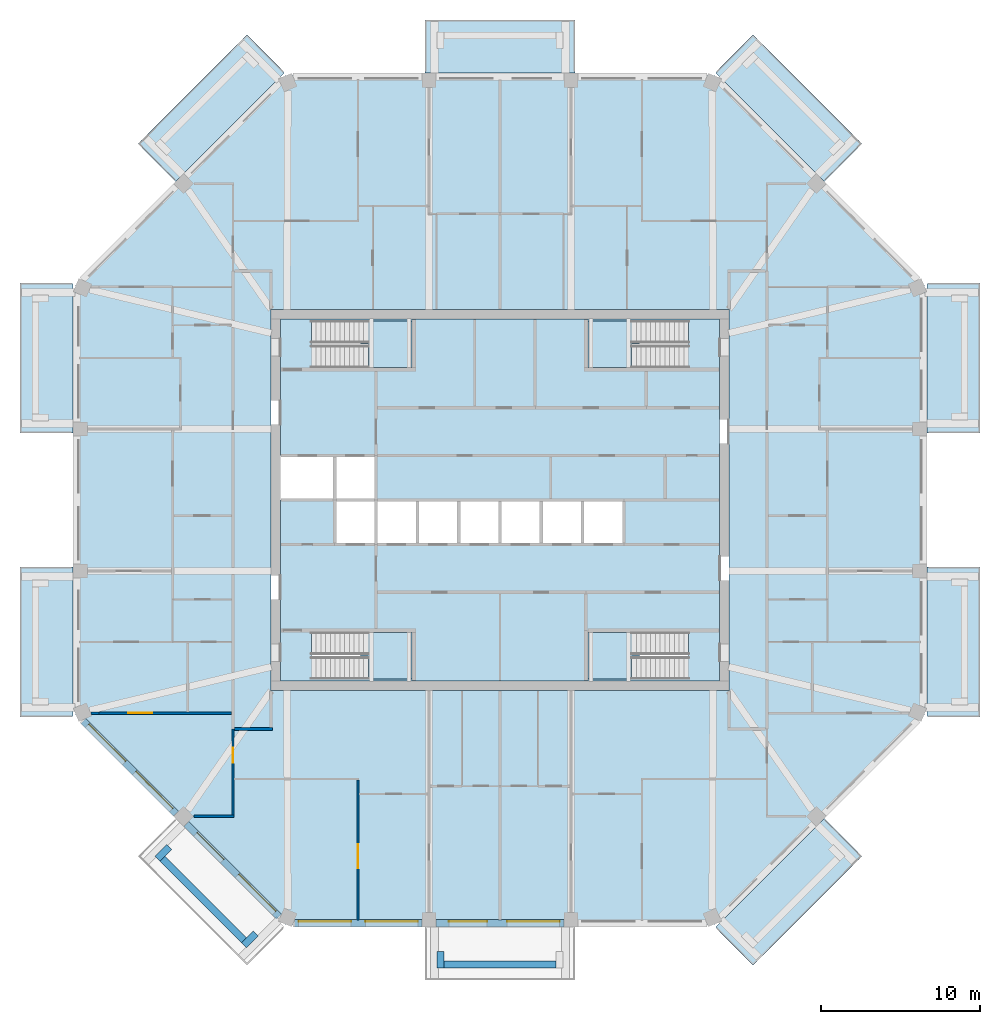
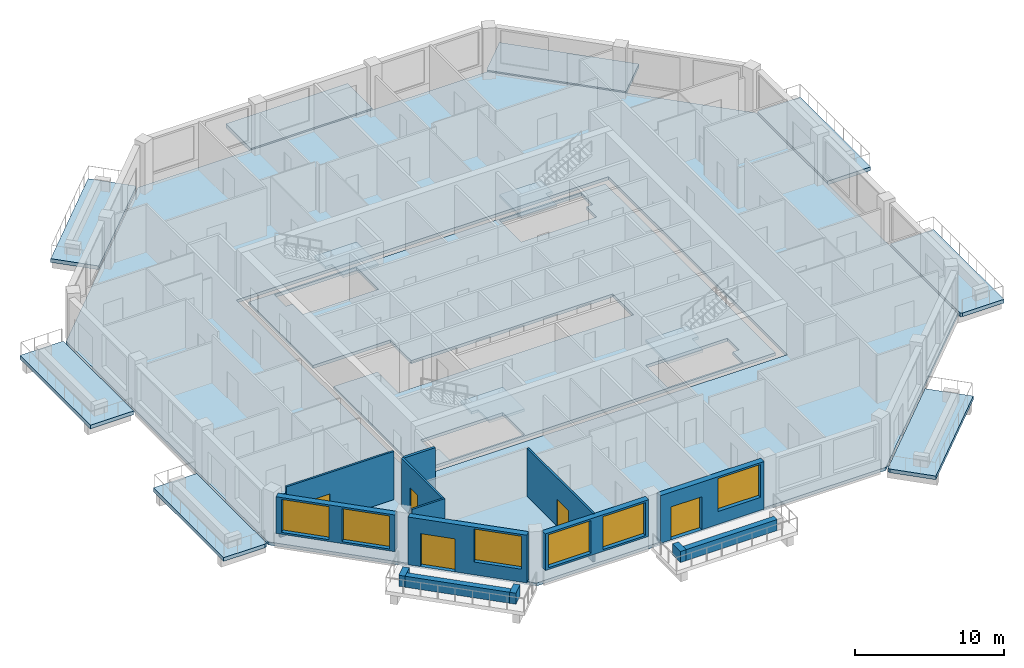
# One storey, part 2 of 12: 15 walls, 14 slabs, 6 windows, 5 doors, 11 openings, 4 elements without a shape of their own.
"""IFC4 building model written with IfcOpenShell, lengths in metres."""

from ifc_helpers import new_model, si_unit, direction, frame, frame_2d, origin, place, context, subcontext, project, spatial, polyline, rectangle, outline, extrude, material, layer, layer_set, type_object, element, fill, aggregate, save


model = new_model("IFC4")

# Units and contexts
model_context = context("Model", 3, precision=1e-05, world=origin(), true_north=direction((0.0, 1.0)))
body_context = subcontext(model_context, "Body", "Model", "MODEL_VIEW")
ifc_project = project(units=[si_unit("LENGTHUNIT", "METRE"), si_unit("AREAUNIT", "SQUARE_METRE"), si_unit("VOLUMEUNIT", "CUBIC_METRE"), si_unit("PLANEANGLEUNIT", "RADIAN"), si_unit("MASSUNIT", "GRAM", prefix="KILO")], contexts=[model_context])

# Site, building, storey
site_placement = place(None, origin())
site = spatial("IfcSite", under=ifc_project, at=site_placement, CompositionType="ELEMENT")
building_placement = place(site_placement, origin())
building = spatial("IfcBuilding", under=site, at=building_placement, Name="Msitu Wima Residences", CompositionType="ELEMENT")
storey_placement = place(building_placement, frame((0.0, 0.0, 243.300048828125)))
storey = spatial("IfcBuildingStorey", under=building, at=storey_placement, Name="L56", CompositionType="ELEMENT", Elevation=243.300048828125)

# Slabs
ifc_material_1 = material(Name="Concrete C40/50", Category="concrete")
ifc_layer_1 = layer(ifc_material_1, 0.300048828125)
ifc_layer_set_1 = layer_set([ifc_layer_1], Name="Concrete C40/50")
slab_type_1 = type_object("IfcSlabType", Name="Balcony slab BS300", PredefinedType="FLOOR", material=ifc_layer_set_1)
slab_1_placement = place(storey_placement, frame((0.0, 0.0, -0.300048828125)))
element("IfcSlab", 1, at=slab_1_placement, inside=storey, type_object=slab_type_1, Name="Balcony E0 L56", PredefinedType="FLOOR", context=body_context, shape_type="SweptSolid", body=[
    extrude(outline(polyline([(26.85009765625, -13.105224609375), (26.85009765625, -13.105224609375), (26.85009765625, -4.918701171875), (26.85009765625, -4.21875), (30.199951171875, -4.21875), (30.199951171875, -13.656005859375), (27.003662109375, -13.656005859375), (26.85009765625, -13.59228515625), (26.85009765625, -13.105224609375), (26.85009765625, -13.105224609375)])), origin(), (0.0, 0.0, 1.0), 0.300048828125),
])
slab_2_placement = place(storey_placement, frame((0.0, 0.0, -0.300048828125)))
element("IfcSlab", 2, at=slab_2_placement, inside=storey, type_object=slab_type_1, Name="Balcony E2 L56", PredefinedType="FLOOR", context=body_context, shape_type="SweptSolid", body=[
    extrude(outline(polyline([(26.85009765625, 13.105224609375), (26.85009765625, 13.105224609375), (26.85009765625, 13.105224609375), (26.85009765625, 13.59228515625), (27.003662109375, 13.656005859375), (30.199951171875, 13.656005859375), (30.199951171875, 4.21875), (26.85009765625, 4.21875), (26.85009765625, 4.918701171875), (26.85009765625, 13.105224609375)])), origin(), (0.0, 0.0, 1.0), 0.300048828125),
])
slab_3_placement = place(storey_placement, frame((0.0, 0.0, -0.300048828125)))
element("IfcSlab", 3, at=slab_3_placement, inside=storey, type_object=slab_type_1, Name="Balcony NE1 L56", PredefinedType="FLOOR", context=body_context, shape_type="SweptSolid", body=[
    extrude(outline(polyline([(13.936767578125, 26.505615234375), (13.936767578125, 26.505615234375), (13.59228515625, 26.85009765625), (13.656005859375, 27.003662109375), (15.916015625, 29.263671875), (22.766845703125, 22.4130859375), (20.39794921875, 20.04443359375), (13.936767578125, 26.505615234375), (13.936767578125, 26.505615234375)])), origin(), (0.0, 0.0, 1.0), 0.300048828125),
])
slab_4_placement = place(storey_placement, frame((0.0, 0.0, -0.300048828125)))
element("IfcSlab", 4, at=slab_4_placement, inside=storey, type_object=slab_type_1, Name="Balcony N1 L56", PredefinedType="FLOOR", context=body_context, shape_type="SweptSolid", body=[
    extrude(outline(polyline([(4.0185546875, 26.85009765625), (-4.0185546875, 26.85009765625), (-4.71875, 26.85009765625), (-4.71875, 30.199951171875), (4.71875, 30.199951171875), (4.71875, 26.85009765625), (4.0185546875, 26.85009765625)])), origin(), (0.0, 0.0, 1.0), 0.300048828125),
])
slab_5_placement = place(storey_placement, frame((0.0, 0.0, -0.300048828125)))
element("IfcSlab", 5, at=slab_5_placement, inside=storey, type_object=slab_type_1, Name="Balcony NW0 L56", PredefinedType="FLOOR", context=body_context, shape_type="SweptSolid", body=[
    extrude(outline(polyline([(-13.936767578125, 26.505615234375), (-13.936767578125, 26.505615234375), (-20.39794921875, 20.04443359375), (-22.766845703125, 22.4130859375), (-15.916015625, 29.263671875), (-13.656005859375, 27.003662109375), (-13.59228515625, 26.85009765625), (-13.936767578125, 26.505615234375), (-13.936767578125, 26.505615234375)])), origin(), (0.0, 0.0, 1.0), 0.300048828125),
])
slab_6_placement = place(storey_placement, frame((0.0, 0.0, -0.300048828125)))
element("IfcSlab", 6, at=slab_6_placement, inside=storey, type_object=slab_type_1, Name="Balcony W0 L56", PredefinedType="FLOOR", context=body_context, shape_type="SweptSolid", body=[
    extrude(outline(polyline([(-26.85009765625, 13.105224609375), (-26.85009765625, 13.105224609375), (-26.85009765625, 4.918701171875), (-26.85009765625, 4.21875), (-30.199951171875, 4.21875), (-30.199951171875, 13.656005859375), (-27.003662109375, 13.656005859375), (-26.85009765625, 13.59228515625), (-26.85009765625, 13.105224609375), (-26.85009765625, 13.105224609375)])), origin(), (0.0, 0.0, 1.0), 0.300048828125),
])
slab_7_placement = place(storey_placement, frame((0.0, 0.0, -0.300048828125)))
element("IfcSlab", 7, at=slab_7_placement, inside=storey, type_object=slab_type_1, Name="Balcony W2 L56", PredefinedType="FLOOR", context=body_context, shape_type="SweptSolid", body=[
    extrude(outline(polyline([(-26.85009765625, -13.105224609375), (-26.85009765625, -13.105224609375), (-26.85009765625, -13.105224609375), (-26.85009765625, -13.59228515625), (-27.003662109375, -13.656005859375), (-30.199951171875, -13.656005859375), (-30.199951171875, -4.21875), (-26.85009765625, -4.21875), (-26.85009765625, -4.918701171875), (-26.85009765625, -13.105224609375)])), origin(), (0.0, 0.0, 1.0), 0.300048828125),
])
slab_8_placement = place(storey_placement, frame((0.0, 0.0, -0.300048828125)))
element("IfcSlab", 8, at=slab_8_placement, inside=storey, type_object=slab_type_1, Name="Balcony SE0 L56", PredefinedType="FLOOR", context=body_context, shape_type="SweptSolid", body=[
    extrude(outline(polyline([(13.936767578125, -26.505615234375), (13.936767578125, -26.505615234375), (20.39794921875, -20.04443359375), (22.766845703125, -22.4130859375), (15.916015625, -29.263671875), (13.656005859375, -27.003662109375), (13.59228515625, -26.85009765625), (13.936767578125, -26.505615234375), (13.936767578125, -26.505615234375)])), origin(), (0.0, 0.0, 1.0), 0.300048828125),
])
ifc_layer_2 = layer(ifc_material_1, 0.25)
ifc_layer_set_2 = layer_set([ifc_layer_2], Name="Concrete C40/50")
slab_type_2 = type_object("IfcSlabType", Name="Core floor CF250", PredefinedType="FLOOR", material=ifc_layer_set_2)
slab_9_placement = place(storey_placement, frame((0.0, 0.0, -0.25)))
element("IfcSlab", 9, at=slab_9_placement, inside=storey, type_object=slab_type_2, Name="Core floor", PredefinedType="FLOOR", context=body_context, shape_type="SweptSolid", body=[
    extrude(outline(polyline([(-13.800048828125, 11.39990234375), (-13.800048828125, 2.800048828125), (-10.39990234375, 2.800048828125), (-7.800048828125, 2.800048828125), (-7.800048828125, 0.0), (-5.199951171875, 0.0), (-2.60009765625, 0.0), (0.0, 0.0), (2.60009765625, 0.0), (5.199951171875, 0.0), (7.800048828125, 0.0), (7.800048828125, -2.800048828125), (5.199951171875, -2.800048828125), (2.60009765625, -2.800048828125), (0.0, -2.800048828125), (-2.60009765625, -2.800048828125), (-5.199951171875, -2.800048828125), (-7.800048828125, -2.800048828125), (-10.39990234375, -2.800048828125), (-10.39990234375, 0.0), (-13.800048828125, 0.0), (-13.800048828125, -11.39990234375), (13.800048828125, -11.39990234375), (13.800048828125, 11.39990234375), (-13.800048828125, 11.39990234375)]), holes=[polyline([(-11.375, -11.27490234375), (-11.375, -9.875), (-11.87451171875, -9.875), (-11.87451171875, -8.324951171875), (-5.52490234375, -8.324951171875), (-5.52490234375, -11.27490234375), (-11.375, -11.27490234375)]), polyline([(-11.375, 8.324951171875), (-11.375, 9.72509765625), (-11.87451171875, 9.72509765625), (-11.87451171875, 11.27490234375), (-5.52490234375, 11.27490234375), (-5.52490234375, 8.324951171875), (-11.375, 8.324951171875)]), polyline([(11.375, -9.875), (11.375, -11.27490234375), (5.52490234375, -11.27490234375), (5.52490234375, -8.324951171875), (11.87451171875, -8.324951171875), (11.87451171875, -9.875), (11.375, -9.875)]), polyline([(11.375, 9.72509765625), (11.375, 8.324951171875), (5.52490234375, 8.324951171875), (5.52490234375, 11.27490234375), (11.87451171875, 11.27490234375), (11.87451171875, 9.72509765625), (11.375, 9.72509765625)])]), origin(), (0.0, 0.0, 1.0), 0.25),
])
ifc_layer_3 = layer(ifc_material_1, 0.25)
ifc_layer_set_3 = layer_set([ifc_layer_3], Name="Concrete C40/50")
slab_type_3 = type_object("IfcSlabType", Name="PT flat slab 250 Concrete C40/50", PredefinedType="FLOOR", material=ifc_layer_set_3)
slab_10_placement = place(storey_placement, frame((0.0, 0.0, -0.25)))
element("IfcSlab", 10, at=slab_10_placement, inside=storey, type_object=slab_type_3, Name="Floor slab L56", PredefinedType="FLOOR", context=body_context, shape_type="SweptSolid", body=[
    extrude(outline(polyline([(26.699951171875, -13.5302734375), (13.5302734375, -26.699951171875), (-13.5302734375, -26.699951171875), (-26.699951171875, -13.5302734375), (-26.699951171875, 13.5302734375), (-13.5302734375, 26.699951171875), (13.5302734375, 26.699951171875), (26.699951171875, 13.5302734375), (26.699951171875, -13.5302734375)]), holes=[polyline([(-14.39990234375, -12.0), (14.39990234375, -12.0), (14.39990234375, 12.0), (-14.39990234375, 12.0), (-14.39990234375, -12.0)])]), origin(), (0.0, 0.0, 1.0), 0.25),
])

# Stair, slab
stair_type = type_object("IfcStairType", Name="Exit stair ES1615-140", PredefinedType="HALF_TURN_STAIR", material=ifc_material_1)
stair_1_placement = place(storey_placement, origin())
stair_1 = element("IfcStair", 11, at=stair_1_placement, inside=storey, type_object=stair_type, Name="Exit stair 1", PredefinedType="HALF_TURN_STAIR")
ifc_layer_4 = layer(ifc_material_1, 0.199951171875)
ifc_layer_set_4 = layer_set([ifc_layer_4], Name="Concrete C40/50")
slab_type_4 = type_object("IfcSlabType", Name="Stair landing SL200", PredefinedType="LANDING", material=ifc_layer_set_4)
slab_11_placement = place(storey_placement, frame((0.0, 0.0, 1.89990234375)))
slab_11 = element("IfcSlab", 12, at=slab_11_placement, type_object=slab_type_4, Name="S1 landing 1", PredefinedType="LANDING", context=body_context, shape_type="SweptSolid", body=[
    extrude(outline(polyline([(-5.52490234375, 8.324951171875), (-8.275390625, 8.324951171875), (-8.275390625, 9.800048828125), (-8.77490234375, 9.800048828125), (-8.77490234375, 11.27490234375), (-5.52490234375, 11.27490234375), (-5.52490234375, 8.324951171875)])), origin(), (0.0, 0.0, 1.0), 0.199951171875),
])
aggregate(stair_1, [slab_11])

stair_2_placement = place(storey_placement, origin())
stair_2 = element("IfcStair", 13, at=stair_2_placement, inside=storey, type_object=stair_type, Name="Exit stair 2", PredefinedType="HALF_TURN_STAIR")
slab_12_placement = place(storey_placement, frame((0.0, 0.0, 1.89990234375)))
slab_12 = element("IfcSlab", 14, at=slab_12_placement, type_object=slab_type_4, Name="S2 landing 1", PredefinedType="LANDING", context=body_context, shape_type="SweptSolid", body=[
    extrude(outline(polyline([(-5.52490234375, -11.27490234375), (-8.275390625, -11.27490234375), (-8.275390625, -9.800048828125), (-8.77490234375, -9.800048828125), (-8.77490234375, -8.324951171875), (-5.52490234375, -8.324951171875), (-5.52490234375, -11.27490234375)])), origin(), (0.0, 0.0, 1.0), 0.199951171875),
])
aggregate(stair_2, [slab_12])

stair_3_placement = place(storey_placement, origin())
stair_3 = element("IfcStair", 15, at=stair_3_placement, inside=storey, type_object=stair_type, Name="Exit stair 3", PredefinedType="HALF_TURN_STAIR")
slab_13_placement = place(storey_placement, frame((0.0, 0.0, 1.89990234375)))
slab_13 = element("IfcSlab", 16, at=slab_13_placement, type_object=slab_type_4, Name="S3 landing 1", PredefinedType="LANDING", context=body_context, shape_type="SweptSolid", body=[
    extrude(outline(polyline([(5.52490234375, 8.324951171875), (8.275390625, 8.324951171875), (8.275390625, 9.800048828125), (8.77490234375, 9.800048828125), (8.77490234375, 11.27490234375), (5.52490234375, 11.27490234375), (5.52490234375, 8.324951171875)])), origin(), (0.0, 0.0, 1.0), 0.199951171875),
])
aggregate(stair_3, [slab_13])

stair_4_placement = place(storey_placement, origin())
stair_4 = element("IfcStair", 17, at=stair_4_placement, inside=storey, type_object=stair_type, Name="Exit stair 4", PredefinedType="HALF_TURN_STAIR")
slab_14_placement = place(storey_placement, frame((0.0, 0.0, 1.89990234375)))
slab_14 = element("IfcSlab", 18, at=slab_14_placement, type_object=slab_type_4, Name="S4 landing 1", PredefinedType="LANDING", context=body_context, shape_type="SweptSolid", body=[
    extrude(outline(polyline([(5.52490234375, -11.27490234375), (8.275390625, -11.27490234375), (8.275390625, -9.800048828125), (8.77490234375, -9.800048828125), (8.77490234375, -8.324951171875), (5.52490234375, -8.324951171875), (5.52490234375, -11.27490234375)])), origin(), (0.0, 0.0, 1.0), 0.199951171875),
])
aggregate(stair_4, [slab_14])

# Walls
ifc_material_2 = material(Name="Facing brick")
ifc_layer_5 = layer(ifc_material_2, 0.06494140625, Name="Facing brick")
ifc_layer_6 = layer(ifc_material_1, 0.156005859375, Name="Concrete C40/50")
ifc_material_3 = material(Name="Waterproofing membrane")
ifc_layer_7 = layer(ifc_material_3, 0.00390625, Name="Waterproofing membrane")
ifc_material_4 = material(Name="Planting soil and planting")
ifc_layer_8 = layer(ifc_material_4, 0.22509765625, Name="Planting soil and planting")
ifc_layer_set_5 = layer_set([ifc_layer_5, ifc_layer_6, ifc_layer_7, ifc_layer_8], Name="Concrete C40/50")
wall_type_1 = type_object("IfcWallType", Name="Balcony planter PLANTER PL450", PredefinedType="USERDEFINED", material=ifc_layer_set_5)
wall_1_placement = place(storey_placement, frame((-21.228759765625, -22.572265625, 0.0), z_axis=(0.0, 0.0, 1.0), x_axis=(0.707106781187, -0.707106781187, 0.0)))
element("IfcWall", 19, at=wall_1_placement, inside=storey, type_object=wall_type_1, Name="Balcony planter SW1 L56", ObjectType="PLANTER", PredefinedType="USERDEFINED", context=body_context, shape_type="SweptSolid", body=[
    extrude(rectangle(XDim=7.23828125, YDim=0.449951171875, at=frame_2d((3.619140625, 0.0))), origin(), (0.0, 0.0, 1.0), 0.89990234375),
])
for number, where, z_axis, x_axis, name in (
    (20, (-20.804443359375, -21.829833984375, 0.0), (0.0, 0.0, 1.0), (-0.707106781187, -0.707106781187, 0.0), "Balcony planter SW1 L56"),
    (21, (-15.3681640625, -27.26611328125, 0.0), (0.0, 0.0, 1.0), (-0.706990528533, -0.707223014731, 0.0), "Balcony planter SW1 L56"),
):
    element("IfcWall", number, at=place(storey_placement, frame(where, z_axis=z_axis, x_axis=x_axis)), inside=storey, type_object=wall_type_1, Name=name, ObjectType="PLANTER", PredefinedType="USERDEFINED", context=body_context, shape_type="SweptSolid", body=[
        extrude(rectangle(XDim=1.050048828125, YDim=0.449951171875, at=frame_2d((0.52490234375, 0.0))), origin(), (0.0, 0.0, 1.0), 0.89990234375),
    ])
wall_2_placement = place(storey_placement, frame((-3.5185546875, -29.22509765625, 0.0), z_axis=(0.0, 0.0, 1.0), x_axis=(1.0, 0.0, 0.0)))
element("IfcWall", 22, at=wall_2_placement, inside=storey, type_object=wall_type_1, Name="Balcony planter S1 L56", ObjectType="PLANTER", PredefinedType="USERDEFINED", context=body_context, shape_type="SweptSolid", body=[
    extrude(rectangle(XDim=7.037109375, YDim=0.449951171875, at=frame_2d((3.5185546875, 0.0))), origin(), (0.0, 0.0, 1.0), 0.89990234375),
])
wall_3_placement = place(storey_placement, frame((-3.74365234375, -28.39990234375, 0.0), z_axis=(0.0, 0.0, 1.0), x_axis=(0.0, -1.0, 0.0)))
element("IfcWall", 23, at=wall_3_placement, inside=storey, type_object=wall_type_1, Name="Balcony planter S1 L56", ObjectType="PLANTER", PredefinedType="USERDEFINED", context=body_context, shape_type="SweptSolid", body=[
    extrude(rectangle(XDim=1.050048828125, YDim=0.449951171875, at=frame_2d((0.52490234375, 0.0))), origin(), (0.0, 0.0, 1.0), 0.89990234375),
])

# Wall, openings, windows
ifc_material_5 = material(Name="Brick (red buff mix)", Category="masonry")
ifc_layer_9 = layer(ifc_material_5, 0.449951171875)
ifc_layer_set_6 = layer_set([ifc_layer_9], Name="Brick (red buff mix)")
wall_type_2 = type_object("IfcWallType", Name="Brick infill wall BW450", PredefinedType="SOLIDWALL", material=ifc_layer_set_6)
wall_4_placement = place(storey_placement, frame((-26.214599609375, -13.909423828125, 0.89990234375), z_axis=(0.0, 0.0, 1.0), x_axis=(0.707106781187, -0.707106781187, 0.0)))
wall_4 = element("IfcWall", 24, at=wall_4_placement, inside=storey, type_object=wall_type_2, Name="Brick infill wall L56 SW0", PredefinedType="SOLIDWALL", context=body_context, shape_type="SweptSolid", body=[
    extrude(rectangle(XDim=8.251220703125, YDim=0.449951171875, at=frame_2d((4.12548828125, 0.0))), origin(), (0.0, 0.0, 1.0), 3.0),
])
opening_1_placement = place(wall_4_placement, frame((0.37548828125, 0.0, 0.14990234375)))
opening_1 = element("IfcOpeningElement", 25, at=opening_1_placement, cuts=wall_4, Name="Opening W55-56.024", PredefinedType="OPENING", context=body_context, shape_type="SweptSolid", body=[
    extrude(rectangle(XDim=3.300048828125, YDim=2.699951171875, at=frame_2d((1.64990234375, 1.35009765625))), frame((0.0, 0.23486328125, 0.0), z_axis=(0.0, -1.0, 0.0), x_axis=(1.0, 0.0, 0.0)), (0.0, 0.0, 1.0), 0.469970703125),
])
opening_2_placement = place(wall_4_placement, frame((4.57568359375, 0.0, 0.14990234375)))
opening_2 = element("IfcOpeningElement", 26, at=opening_2_placement, cuts=wall_4, Name="Opening W55-56.025", PredefinedType="OPENING", context=body_context, shape_type="SweptSolid", body=[
    extrude(rectangle(XDim=3.300048828125, YDim=2.699951171875, at=frame_2d((1.64990234375, 1.35009765625))), frame((0.0, 0.23486328125, 0.0), z_axis=(0.0, -1.0, 0.0), x_axis=(1.0, 0.0, 0.0)), (0.0, 0.0, 1.0), 0.469970703125),
])
ifc_material_6 = material(Name="Anodised aluminium, bronze finish, clear low-emissivity double glazing", Category="aluminium")
window_type = type_object("IfcWindowType", Name="Window W3300x2700", PartitioningType="DOUBLE_PANEL_VERTICAL", PredefinedType="WINDOW", material=ifc_material_6)
window_1_placement = place(opening_1_placement, origin())
window_1 = element("IfcWindow", 27, at=window_1_placement, inside=storey, type_object=window_type, Name="Window L56 SW0.1", OverallHeight=2.699951171875, OverallWidth=3.300048828125, PartitioningType="SINGLE_PANEL", PredefinedType="WINDOW", context=body_context, shape_type="SweptSolid", body=[
    extrude(rectangle(XDim=3.300048828125, YDim=2.699951171875, at=frame_2d((1.64990234375, 1.35009765625))), frame((0.0, 0.135009765625, 0.0), z_axis=(0.0, -1.0, 0.0), x_axis=(1.0, 0.0, 0.0)), (0.0, 0.0, 1.0), 0.06005859375),
])
fill(opening_1, window_1)
window_2_placement = place(opening_2_placement, origin())
window_2 = element("IfcWindow", 28, at=window_2_placement, inside=storey, type_object=window_type, Name="Window L56 SW0.2", OverallHeight=2.699951171875, OverallWidth=3.300048828125, PartitioningType="SINGLE_PANEL", PredefinedType="WINDOW", context=body_context, shape_type="SweptSolid", body=[
    extrude(rectangle(XDim=3.300048828125, YDim=2.699951171875, at=frame_2d((1.64990234375, 1.35009765625))), frame((0.0, 0.135009765625, 0.0), z_axis=(0.0, -1.0, 0.0), x_axis=(1.0, 0.0, 0.0)), (0.0, 0.0, 1.0), 0.06005859375),
])
fill(opening_2, window_2)

# Wall, openings, door, window
wall_5_placement = place(storey_placement, frame((-19.743896484375, -20.380126953125, 0.0), z_axis=(0.0, 0.0, 1.0), x_axis=(0.707106781187, -0.707106781187, 0.0)))
wall_5 = element("IfcWall", 29, at=wall_5_placement, inside=storey, type_object=wall_type_2, Name="Brick infill wall L56 SW1", PredefinedType="SOLIDWALL", context=body_context, shape_type="SweptSolid", body=[
    extrude(rectangle(XDim=8.251220703125, YDim=0.449951171875, at=frame_2d((4.12548828125, 0.0))), origin(), (0.0, 0.0, 1.0), 3.89990234375),
])
opening_3_placement = place(wall_5_placement, frame((0.86279296875, 0.0, 0.0)))
opening_3 = element("IfcOpeningElement", 30, at=opening_3_placement, cuts=wall_5, Name="Opening D55-56.008", PredefinedType="OPENING", context=body_context, shape_type="SweptSolid", body=[
    extrude(rectangle(XDim=2.39990234375, YDim=2.699951171875, at=frame_2d((1.199951171875, 1.35009765625))), frame((0.0, 0.23486328125, 0.0), z_axis=(0.0, -1.0, 0.0), x_axis=(1.0, 0.0, 0.0)), (0.0, 0.0, 1.0), 0.469970703125),
])
opening_4_placement = place(wall_5_placement, frame((4.57568359375, 0.0, 1.050048828125)))
opening_4 = element("IfcOpeningElement", 31, at=opening_4_placement, cuts=wall_5, Name="Opening W55-56.026", PredefinedType="OPENING", context=body_context, shape_type="SweptSolid", body=[
    extrude(rectangle(XDim=3.300048828125, YDim=2.699951171875, at=frame_2d((1.64990234375, 1.35009765625))), frame((0.0, 0.23486328125, 0.0), z_axis=(0.0, -1.0, 0.0), x_axis=(1.0, 0.0, 0.0)), (0.0, 0.0, 1.0), 0.469970703125),
])
door_type_1 = type_object("IfcDoorType", Name="Balcony door D2400x2700", OperationType="SLIDING_TO_LEFT", PredefinedType="DOOR", material=ifc_material_6)
door_1_placement = place(opening_3_placement, origin())
door_1 = element("IfcDoor", 32, at=door_1_placement, inside=storey, type_object=door_type_1, Name="Balcony door L56 SW1", OperationType="SINGLE_SWING_LEFT", OverallHeight=2.699951171875, OverallWidth=2.39990234375, PredefinedType="DOOR", context=body_context, shape_type="SweptSolid", body=[
    extrude(rectangle(XDim=2.39990234375, YDim=2.699951171875, at=frame_2d((1.199951171875, 1.35009765625))), frame((0.0, 0.1298828125, 0.0), z_axis=(0.0, -1.0, 0.0), x_axis=(1.0, 0.0, 0.0)), (0.0, 0.0, 1.0), 0.050048828125),
])
fill(opening_3, door_1)
window_3_placement = place(opening_4_placement, origin())
window_3 = element("IfcWindow", 33, at=window_3_placement, inside=storey, type_object=window_type, Name="Window L56 SW1.2", OverallHeight=2.699951171875, OverallWidth=3.300048828125, PartitioningType="SINGLE_PANEL", PredefinedType="WINDOW", context=body_context, shape_type="SweptSolid", body=[
    extrude(rectangle(XDim=3.300048828125, YDim=2.699951171875, at=frame_2d((1.64990234375, 1.35009765625))), frame((0.0, 0.135009765625, 0.0), z_axis=(0.0, -1.0, 0.0), x_axis=(1.0, 0.0, 0.0)), (0.0, 0.0, 1.0), 0.06005859375),
])
fill(opening_4, window_3)

# Wall, openings, windows
wall_6_placement = place(storey_placement, frame((-12.918701171875, -26.625, 0.89990234375), z_axis=(0.0, 0.0, 1.0), x_axis=(1.0, 0.0, 0.0)))
wall_6 = element("IfcWall", 34, at=wall_6_placement, inside=storey, type_object=wall_type_2, Name="Brick infill wall L56 S0", PredefinedType="SOLIDWALL", context=body_context, shape_type="SweptSolid", body=[
    extrude(rectangle(XDim=8.0, YDim=0.449951171875, at=frame_2d((4.0, 0.0))), origin(), (0.0, 0.0, 1.0), 3.0),
])
opening_5_placement = place(wall_6_placement, frame((0.25, 0.0, 0.14990234375)))
opening_5 = element("IfcOpeningElement", 35, at=opening_5_placement, cuts=wall_6, Name="Opening W55-56.016", PredefinedType="OPENING", context=body_context, shape_type="SweptSolid", body=[
    extrude(rectangle(XDim=3.300048828125, YDim=2.699951171875, at=frame_2d((1.64990234375, 1.35009765625))), frame((0.0, 0.23486328125, 0.0), z_axis=(0.0, -1.0, 0.0), x_axis=(1.0, 0.0, 0.0)), (0.0, 0.0, 1.0), 0.469970703125),
])
opening_6_placement = place(wall_6_placement, frame((4.4501953125, 0.0, 0.14990234375)))
opening_6 = element("IfcOpeningElement", 36, at=opening_6_placement, cuts=wall_6, Name="Opening W55-56.017", PredefinedType="OPENING", context=body_context, shape_type="SweptSolid", body=[
    extrude(rectangle(XDim=3.300048828125, YDim=2.699951171875, at=frame_2d((1.64990234375, 1.35009765625))), frame((0.0, 0.23486328125, 0.0), z_axis=(0.0, -1.0, 0.0), x_axis=(1.0, 0.0, 0.0)), (0.0, 0.0, 1.0), 0.469970703125),
])
window_4_placement = place(opening_5_placement, origin())
window_4 = element("IfcWindow", 37, at=window_4_placement, inside=storey, type_object=window_type, Name="Window L56 S0.1", OverallHeight=2.699951171875, OverallWidth=3.300048828125, PartitioningType="SINGLE_PANEL", PredefinedType="WINDOW", context=body_context, shape_type="SweptSolid", body=[
    extrude(rectangle(XDim=3.300048828125, YDim=2.699951171875, at=frame_2d((1.64990234375, 1.35009765625))), frame((0.0, 0.135009765625, 0.0), z_axis=(0.0, -1.0, 0.0), x_axis=(1.0, 0.0, 0.0)), (0.0, 0.0, 1.0), 0.06005859375),
])
fill(opening_5, window_4)
window_5_placement = place(opening_6_placement, origin())
window_5 = element("IfcWindow", 38, at=window_5_placement, inside=storey, type_object=window_type, Name="Window L56 S0.2", OverallHeight=2.699951171875, OverallWidth=3.300048828125, PartitioningType="SINGLE_PANEL", PredefinedType="WINDOW", context=body_context, shape_type="SweptSolid", body=[
    extrude(rectangle(XDim=3.300048828125, YDim=2.699951171875, at=frame_2d((1.64990234375, 1.35009765625))), frame((0.0, 0.135009765625, 0.0), z_axis=(0.0, -1.0, 0.0), x_axis=(1.0, 0.0, 0.0)), (0.0, 0.0, 1.0), 0.06005859375),
])
fill(opening_6, window_5)

# Wall, openings, door, window
wall_7_placement = place(storey_placement, frame((-4.0185546875, -26.625, 0.0), z_axis=(0.0, 0.0, 1.0), x_axis=(1.0, 0.0, 0.0)))
wall_7 = element("IfcWall", 39, at=wall_7_placement, inside=storey, type_object=wall_type_2, Name="Brick infill wall L56 S1", PredefinedType="SOLIDWALL", context=body_context, shape_type="SweptSolid", body=[
    extrude(rectangle(XDim=8.037109375, YDim=0.449951171875, at=frame_2d((4.0185546875, 0.0))), origin(), (0.0, 0.0, 1.0), 3.89990234375),
])
opening_7_placement = place(wall_7_placement, frame((0.809326171875, 0.0, 0.0)))
opening_7 = element("IfcOpeningElement", 40, at=opening_7_placement, cuts=wall_7, Name="Opening D55-56.006", PredefinedType="OPENING", context=body_context, shape_type="SweptSolid", body=[
    extrude(rectangle(XDim=2.39990234375, YDim=2.699951171875, at=frame_2d((1.199951171875, 1.35009765625))), frame((0.0, 0.23486328125, 0.0), z_axis=(0.0, -1.0, 0.0), x_axis=(1.0, 0.0, 0.0)), (0.0, 0.0, 1.0), 0.469970703125),
])
opening_8_placement = place(wall_7_placement, frame((4.46875, 0.0, 1.050048828125)))
opening_8 = element("IfcOpeningElement", 41, at=opening_8_placement, cuts=wall_7, Name="Opening W55-56.018", PredefinedType="OPENING", context=body_context, shape_type="SweptSolid", body=[
    extrude(rectangle(XDim=3.300048828125, YDim=2.699951171875, at=frame_2d((1.64990234375, 1.35009765625))), frame((0.0, 0.23486328125, 0.0), z_axis=(0.0, -1.0, 0.0), x_axis=(1.0, 0.0, 0.0)), (0.0, 0.0, 1.0), 0.469970703125),
])
door_2_placement = place(opening_7_placement, origin())
door_2 = element("IfcDoor", 42, at=door_2_placement, inside=storey, type_object=door_type_1, Name="Balcony door L56 S1", OperationType="SINGLE_SWING_LEFT", OverallHeight=2.699951171875, OverallWidth=2.39990234375, PredefinedType="DOOR", context=body_context, shape_type="SweptSolid", body=[
    extrude(rectangle(XDim=2.39990234375, YDim=2.699951171875, at=frame_2d((1.199951171875, 1.35009765625))), frame((0.0, 0.1298828125, 0.0), z_axis=(0.0, -1.0, 0.0), x_axis=(1.0, 0.0, 0.0)), (0.0, 0.0, 1.0), 0.050048828125),
])
fill(opening_7, door_2)
window_6_placement = place(opening_8_placement, origin())
window_6 = element("IfcWindow", 43, at=window_6_placement, inside=storey, type_object=window_type, Name="Window L56 S1.2", OverallHeight=2.699951171875, OverallWidth=3.300048828125, PartitioningType="SINGLE_PANEL", PredefinedType="WINDOW", context=body_context, shape_type="SweptSolid", body=[
    extrude(rectangle(XDim=3.300048828125, YDim=2.699951171875, at=frame_2d((1.64990234375, 1.35009765625))), frame((0.0, 0.135009765625, 0.0), z_axis=(0.0, -1.0, 0.0), x_axis=(1.0, 0.0, 0.0)), (0.0, 0.0, 1.0), 0.06005859375),
])
fill(opening_8, window_6)

# Walls
ifc_material_7 = material(Name="Plaster")
ifc_layer_10 = layer(ifc_material_7, 0.011962890625, Name="Plaster")
ifc_material_8 = material(Name="Concrete blockwork", Category="masonry")
ifc_layer_11 = layer(ifc_material_8, 0.176025390625, Name="Concrete blockwork")
ifc_layer_12 = layer(ifc_material_7, 0.011962890625, Name="Plaster")
ifc_layer_set_7 = layer_set([ifc_layer_10, ifc_layer_11, ifc_layer_12], Name="Concrete blockwork")
wall_type_3 = type_object("IfcWallType", Name="Corridor wall FW200", PredefinedType="PARTITIONING", material=ifc_layer_set_7)
wall_8_placement = place(storey_placement, frame((-16.699951171875, -14.39990234375, 0.0), z_axis=(0.0, 0.0, 1.0), x_axis=(1.0, 0.0, 0.0)))
element("IfcWall", 44, at=wall_8_placement, inside=storey, type_object=wall_type_3, Name="Corridor wall", PredefinedType="PARTITIONING", context=body_context, shape_type="SweptSolid", body=[
    extrude(rectangle(XDim=2.39990234375, YDim=0.199951171875, at=frame_2d((1.199951171875, 0.0))), origin(), (0.0, 0.0, 1.0), 3.949951171875),
])
ifc_layer_13 = layer(ifc_material_7, 0.011962890625, Name="Plaster")
ifc_layer_14 = layer(ifc_material_8, 0.1259765625, Name="Concrete blockwork")
ifc_layer_15 = layer(ifc_material_7, 0.011962890625, Name="Plaster")
ifc_layer_set_8 = layer_set([ifc_layer_13, ifc_layer_14, ifc_layer_15], Name="Concrete blockwork")
wall_type_4 = type_object("IfcWallType", Name="Partition PW150", PredefinedType="PARTITIONING", material=ifc_layer_set_8)
wall_9_placement = place(storey_placement, frame((-25.731201171875, -13.406005859375, 0.0), z_axis=(0.0, 0.0, 1.0), x_axis=(1.0, 0.0, 0.0)))
element("IfcWall", 45, at=wall_9_placement, inside=storey, type_object=wall_type_4, Name="Partition", PredefinedType="PARTITIONING", context=body_context, shape_type="SweptSolid", body=[
    extrude(rectangle(XDim=0.507080078125, YDim=0.14990234375, at=frame_2d((0.25341796875, 0.0))), origin(), (0.0, 0.0, 1.0), 3.349853515625),
])

# Wall, opening, door
wall_10_placement = place(storey_placement, frame((-25.22412109375, -13.406005859375, 0.0), z_axis=(0.0, 0.0, 1.0), x_axis=(1.0, 0.0, 0.0)))
wall_10 = element("IfcWall", 46, at=wall_10_placement, inside=storey, type_object=wall_type_4, Name="Partition", PredefinedType="PARTITIONING", context=body_context, shape_type="SweptSolid", body=[
    extrude(rectangle(XDim=8.32421875, YDim=0.14990234375, at=frame_2d((4.162109375, 0.0))), origin(), (0.0, 0.0, 1.0), 3.949951171875),
])
opening_9_placement = place(wall_10_placement, frame((1.8427734375, 0.0, 0.0)))
opening_9 = element("IfcOpeningElement", 47, at=opening_9_placement, cuts=wall_10, Name="Opening D55-56.043", PredefinedType="OPENING", context=body_context, shape_type="SweptSolid", body=[
    extrude(rectangle(XDim=1.5, YDim=2.199951171875, at=frame_2d((0.75, 1.10009765625))), frame((0.0, 0.0849609375, 0.0), z_axis=(0.0, -1.0, 0.0), x_axis=(1.0, 0.0, 0.0)), (0.0, 0.0, 1.0), 0.169921875),
])
ifc_material_9 = material(Name="Timber double door", Category="wood")
door_type_2 = type_object("IfcDoorType", Name="Double door D04 1500x2200", OperationType="DOUBLE_DOOR_SINGLE_SWING", PredefinedType="DOOR", material=ifc_material_9)
door_3_placement = place(opening_9_placement, origin())
door_3 = element("IfcDoor", 48, at=door_3_placement, inside=storey, type_object=door_type_2, Name="Double door", OperationType="DOUBLE_DOOR_SINGLE_SWING", OverallHeight=2.199951171875, OverallWidth=1.5, PredefinedType="DOOR", context=body_context, shape_type="SweptSolid", body=[
    extrude(rectangle(XDim=1.5, YDim=2.199951171875, at=frame_2d((0.75, 1.10009765625))), frame((0.0, 0.02490234375, 0.0), z_axis=(0.0, -1.0, 0.0), x_axis=(1.0, 0.0, 0.0)), (0.0, 0.0, 1.0), 0.050048828125),
])
fill(opening_9, door_3)

# Wall
wall_11_placement = place(storey_placement, frame((-19.2666015625, -19.90283203125, 0.0), z_axis=(0.0, 0.0, 1.0), x_axis=(1.0, 0.0, 0.0)))
element("IfcWall", 49, at=wall_11_placement, inside=storey, type_object=wall_type_4, Name="Partition", PredefinedType="PARTITIONING", context=body_context, shape_type="SweptSolid", body=[
    extrude(rectangle(XDim=2.54150390625, YDim=0.14990234375, at=frame_2d((1.270751953125, 0.0))), origin(), (0.0, 0.0, 1.0), 3.949951171875),
])

# Wall, opening, door
wall_12_placement = place(storey_placement, frame((-16.800048828125, -19.827880859375, 0.0), z_axis=(0.0, 0.0, 1.0), x_axis=(0.0, 1.0, 0.0)))
wall_12 = element("IfcWall", 50, at=wall_12_placement, inside=storey, type_object=wall_type_4, Name="Partition", PredefinedType="PARTITIONING", context=body_context, shape_type="SweptSolid", body=[
    extrude(rectangle(XDim=5.427978515625, YDim=0.14990234375, at=frame_2d((2.7138671875, 0.0))), origin(), (0.0, 0.0, 1.0), 3.949951171875),
])
opening_10_placement = place(wall_12_placement, frame((3.300048828125, 0.0, 0.0)))
opening_10 = element("IfcOpeningElement", 51, at=opening_10_placement, cuts=wall_12, Name="Opening D55-56.044", PredefinedType="OPENING", context=body_context, shape_type="SweptSolid", body=[
    extrude(rectangle(XDim=0.949951171875, YDim=2.199951171875, at=frame_2d((0.47509765625, 1.10009765625))), frame((0.0, 0.0849609375, 0.0), z_axis=(0.0, -1.0, 0.0), x_axis=(1.0, 0.0, 0.0)), (0.0, 0.0, 1.0), 0.169921875),
])
ifc_material_10 = material(Name="Timber flush door", Category="wood")
door_type_3 = type_object("IfcDoorType", Name="Room door D12 950x2200", OperationType="SINGLE_SWING_LEFT", PredefinedType="DOOR", material=ifc_material_10)
door_4_placement = place(opening_10_placement, origin())
door_4 = element("IfcDoor", 52, at=door_4_placement, inside=storey, type_object=door_type_3, Name="Room door", OperationType="SINGLE_SWING_RIGHT", OverallHeight=2.199951171875, OverallWidth=0.949951171875, PredefinedType="DOOR", context=body_context, shape_type="SweptSolid", body=[
    extrude(rectangle(XDim=0.949951171875, YDim=2.199951171875, at=frame_2d((0.47509765625, 1.10009765625))), frame((0.0, 0.02490234375, 0.0), z_axis=(0.0, -1.0, 0.0), x_axis=(1.0, 0.0, 0.0)), (0.0, 0.0, 1.0), 0.050048828125),
])
fill(opening_10, door_4)

wall_13_placement = place(storey_placement, frame((-8.937255859375, -26.455078125, 0.0), z_axis=(0.0, 0.0, 1.0), x_axis=(0.0, 1.0, 0.0)))
wall_13 = element("IfcWall", 53, at=wall_13_placement, inside=storey, type_object=wall_type_4, Name="Partition", PredefinedType="PARTITIONING", context=body_context, shape_type="SweptSolid", body=[
    extrude(rectangle(XDim=8.830078125, YDim=0.14990234375, at=frame_2d((4.4150390625, 0.0))), origin(), (0.0, 0.0, 1.0), 3.949951171875),
])
opening_11_placement = place(wall_13_placement, frame((3.300048828125, 0.0, 0.0)))
opening_11 = element("IfcOpeningElement", 54, at=opening_11_placement, cuts=wall_13, Name="Opening D55-56.046", PredefinedType="OPENING", context=body_context, shape_type="SweptSolid", body=[
    extrude(rectangle(XDim=1.5, YDim=2.199951171875, at=frame_2d((0.75, 1.10009765625))), frame((0.0, 0.0849609375, 0.0), z_axis=(0.0, -1.0, 0.0), x_axis=(1.0, 0.0, 0.0)), (0.0, 0.0, 1.0), 0.169921875),
])
door_5_placement = place(opening_11_placement, origin())
door_5 = element("IfcDoor", 55, at=door_5_placement, inside=storey, type_object=door_type_2, Name="Double door", OperationType="DOUBLE_DOOR_SINGLE_SWING", OverallHeight=2.199951171875, OverallWidth=1.5, PredefinedType="DOOR", context=body_context, shape_type="SweptSolid", body=[
    extrude(rectangle(XDim=1.5, YDim=2.199951171875, at=frame_2d((0.75, 1.10009765625))), frame((0.0, 0.02490234375, 0.0), z_axis=(0.0, -1.0, 0.0), x_axis=(1.0, 0.0, 0.0)), (0.0, 0.0, 1.0), 0.050048828125),
])
fill(opening_11, door_5)

save(model, "model.ifc")
